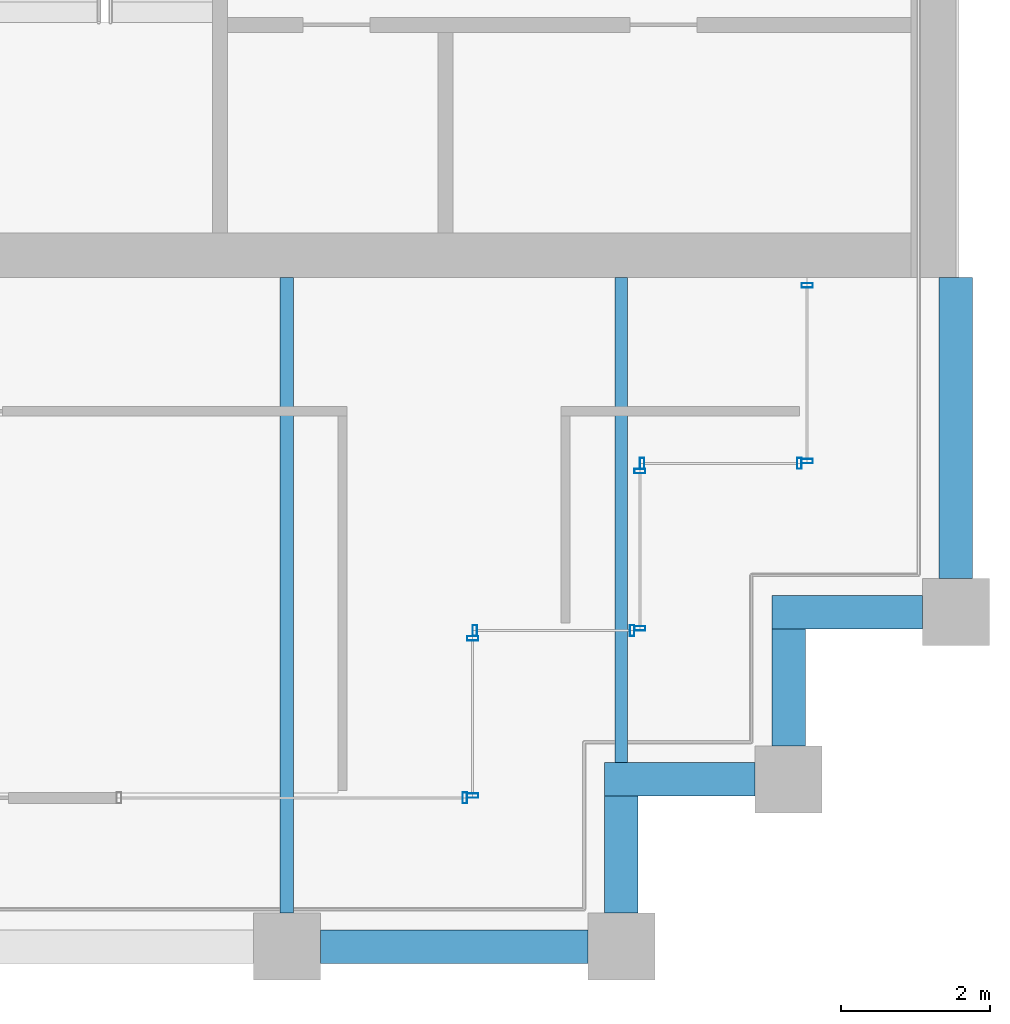
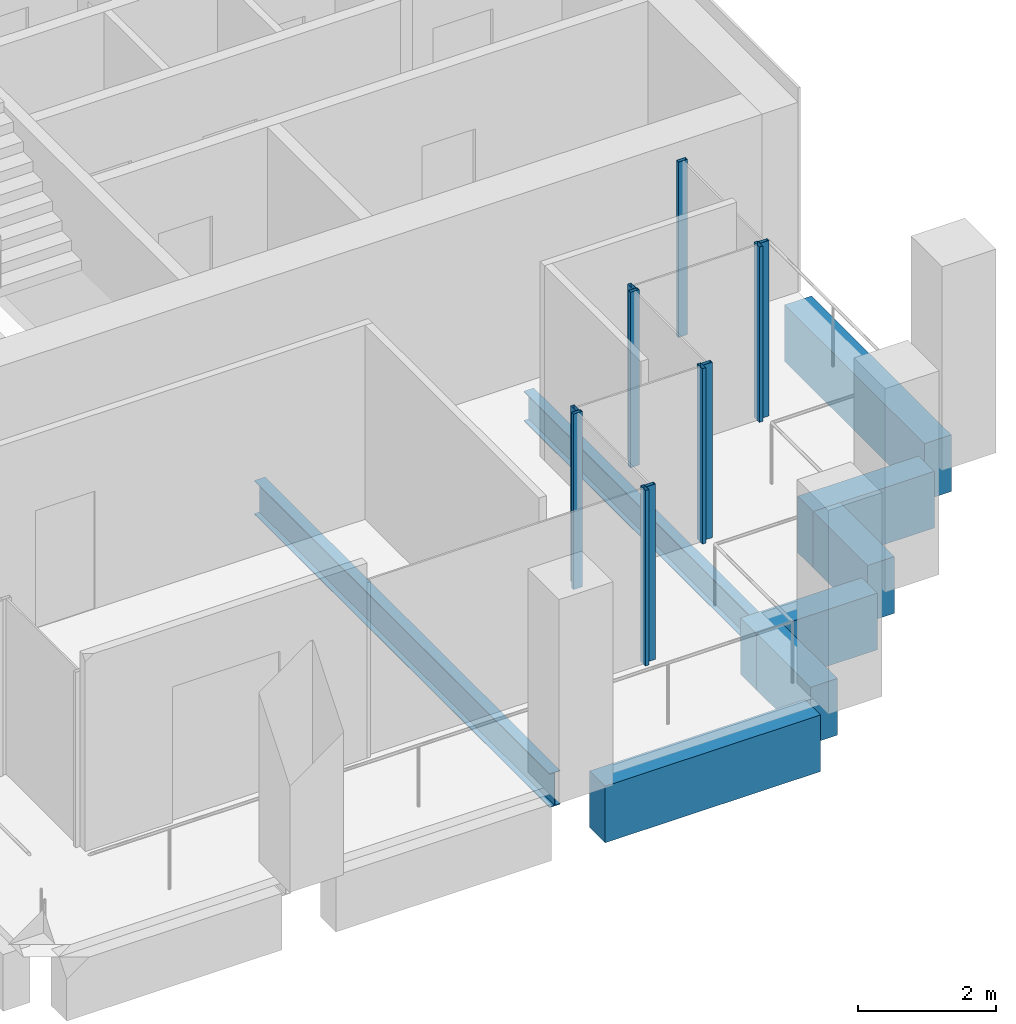
# One storey, part 31 of 40: 11 members, 8 beams, 6 elements without a shape of their own.
"""IFC4 building model written with IfcOpenShell, lengths in metres."""

from ifc_helpers import new_model, si_unit, direction, frame, origin, origin_2d, place, context, subcontext, project, spatial, rectangle, hollow_rectangle, i_section, extrude, material, material_profile, profile_set, type_object, element, aggregate, save


model = new_model("IFC4")

# Units and contexts
model_context = context("Model", 3, precision=1e-05, world=origin(), true_north=direction((0.0, 1.0)))
body_context = subcontext(model_context, "Body", "Model", "MODEL_VIEW")
ifc_project = project(units=[si_unit("LENGTHUNIT", "METRE"), si_unit("AREAUNIT", "SQUARE_METRE"), si_unit("VOLUMEUNIT", "CUBIC_METRE"), si_unit("PLANEANGLEUNIT", "RADIAN"), si_unit("MASSUNIT", "GRAM", prefix="KILO")], contexts=[model_context])

# Site, building, storey
site_placement = place(None, origin())
site = spatial("IfcSite", under=ifc_project, at=site_placement, CompositionType="ELEMENT")
building_placement = place(site_placement, origin())
building = spatial("IfcBuilding", under=site, at=building_placement, Name="Altepetl Exchange Towers", CompositionType="ELEMENT")
storey_placement = place(building_placement, frame((0.0, 0.0, 169.0)))
storey = spatial("IfcBuildingStorey", under=building, at=storey_placement, Name="L42", CompositionType="ELEMENT", Elevation=169.0)

# Beams
ifc_material_1 = material(Name="Steel S355", Category="steel")
ifc_material_profile_1 = material_profile(ifc_material_1, i_section(OverallWidth=0.166015625, OverallDepth=0.529052734375, WebThickness=0.009765625, FlangeThickness=0.013671875, at=origin_2d()), Name="W21X50")
ifc_profile_set_1 = profile_set([ifc_material_profile_1], Name="Steel S355")
beam_type_1 = type_object("IfcBeamType", Name="Floor beam W21X50", PredefinedType="BEAM", material=ifc_profile_set_1)
beam_1_placement = place(storey_placement, frame((112.5, 29.47509765625, -0.41455078125), z_axis=(0.0, 1.0, 0.0), x_axis=(-1.0, 0.0, 0.0)))
element("IfcBeam", 1, at=beam_1_placement, inside=storey, type_object=beam_type_1, Name="bm:B:L42:003", PredefinedType="BEAM", context=body_context, shape_type="SweptSolid", body=[
    extrude(i_section(OverallWidth=0.166015625, OverallDepth=0.529052734375, WebThickness=0.009765625, FlangeThickness=0.013671875, at=origin_2d()), origin(), (0.0, 0.0, 1.0), 6.52490234375),
])
ifc_material_profile_2 = material_profile(ifc_material_1, i_section(OverallWidth=0.177978515625, OverallDepth=0.59912109375, WebThickness=0.010009765625, FlangeThickness=0.0126953125, at=origin_2d()), Name="W24X55")
ifc_profile_set_2 = profile_set([ifc_material_profile_2], Name="Steel S355")
beam_type_2 = type_object("IfcBeamType", Name="Floor beam W24X55", PredefinedType="BEAM", material=ifc_profile_set_2)
beam_2_placement = place(storey_placement, frame((108.0, 27.449951171875, -0.449462890625), z_axis=(0.0, 1.0, 0.0), x_axis=(-1.0, 0.0, 0.0)))
element("IfcBeam", 2, at=beam_2_placement, inside=storey, type_object=beam_type_2, Name="bm:B:L42:002", PredefinedType="BEAM", context=body_context, shape_type="SweptSolid", body=[
    extrude(i_section(OverallWidth=0.177978515625, OverallDepth=0.59912109375, WebThickness=0.010009765625, FlangeThickness=0.0126953125, at=origin_2d()), origin(), (0.0, 0.0, 1.0), 8.550048828125),
])

# Curtain wall, member
ifc_material_2 = material(Name="Aluminium 6063-T6 glazing", Category="aluminium")
curtain_wall_type = type_object("IfcCurtainWallType", Name="Loggia glazing system", PredefinedType="NOTDEFINED", material=ifc_material_2)
curtain_wall_1_placement = place(storey_placement, origin())
curtain_wall_1 = element("IfcCurtainWall", 3, at=curtain_wall_1_placement, inside=storey, type_object=curtain_wall_type, Name="CW1 run", PredefinedType="NOTDEFINED")
ifc_material_3 = material(Name="Aluminium 6063-T6", Category="aluminium")
ifc_material_profile_3 = material_profile(ifc_material_3, hollow_rectangle(XDim=0.06005859375, YDim=0.14990234375, WallThickness=0.0029296875, at=origin_2d()), Name="Mullion 60x150 aluminium")
ifc_profile_set_3 = profile_set([ifc_material_profile_3], Name="Aluminium 6063-T6")
member_type = type_object("IfcMemberType", Name="Mullion 60x150 aluminium", PredefinedType="MULLION", material=ifc_profile_set_3)
member_1_placement = place(storey_placement, frame((110.39501953125, 29.0, 0.0)))
member_1 = element("IfcMember", 4, at=member_1_placement, type_object=member_type, Name="MU1 mullion", PredefinedType="MULLION", context=body_context, shape_type="SweptSolid", body=[
    extrude(hollow_rectangle(XDim=0.06005859375, YDim=0.14990234375, WallThickness=0.0029296875, at=origin_2d()), origin(), (0.0, 0.0, 1.0), 3.10009765625),
])
aggregate(curtain_wall_1, [member_1])

# Curtain wall, members
curtain_wall_2_placement = place(storey_placement, origin())
curtain_wall_2 = element("IfcCurtainWall", 5, at=curtain_wall_2_placement, inside=storey, type_object=curtain_wall_type, Name="CW1 run", PredefinedType="NOTDEFINED")
member_2_placement = place(storey_placement, frame((110.5, 29.030029296875, 0.0), z_axis=(0.0, 0.0, 1.0), x_axis=(0.0, 1.0, 0.0)))
member_2 = element("IfcMember", 6, at=member_2_placement, type_object=member_type, Name="MU1 mullion", PredefinedType="MULLION", context=body_context, shape_type="SweptSolid", body=[
    extrude(hollow_rectangle(XDim=0.06005859375, YDim=0.14990234375, WallThickness=0.0029296875, at=origin_2d()), origin(), (0.0, 0.0, 1.0), 3.10009765625),
])
member_3_placement = place(storey_placement, frame((110.5, 31.14501953125, 0.0), z_axis=(0.0, 0.0, 1.0), x_axis=(0.0, 1.0, 0.0)))
member_3 = element("IfcMember", 7, at=member_3_placement, type_object=member_type, Name="MU1 mullion", PredefinedType="MULLION", context=body_context, shape_type="SweptSolid", body=[
    extrude(hollow_rectangle(XDim=0.06005859375, YDim=0.14990234375, WallThickness=0.0029296875, at=origin_2d()), origin(), (0.0, 0.0, 1.0), 3.10009765625),
])
aggregate(curtain_wall_2, [member_2, member_3])

curtain_wall_3_placement = place(storey_placement, origin())
curtain_wall_3 = element("IfcCurtainWall", 8, at=curtain_wall_3_placement, inside=storey, type_object=curtain_wall_type, Name="CW1 run", PredefinedType="NOTDEFINED")
member_4_placement = place(storey_placement, frame((110.530029296875, 31.25, 0.0)))
member_4 = element("IfcMember", 9, at=member_4_placement, type_object=member_type, Name="MU1 mullion", PredefinedType="MULLION", context=body_context, shape_type="SweptSolid", body=[
    extrude(hollow_rectangle(XDim=0.06005859375, YDim=0.14990234375, WallThickness=0.0029296875, at=origin_2d()), origin(), (0.0, 0.0, 1.0), 3.10009765625),
])
member_5_placement = place(storey_placement, frame((112.64501953125, 31.25, 0.0)))
member_5 = element("IfcMember", 10, at=member_5_placement, type_object=member_type, Name="MU1 mullion", PredefinedType="MULLION", context=body_context, shape_type="SweptSolid", body=[
    extrude(hollow_rectangle(XDim=0.06005859375, YDim=0.14990234375, WallThickness=0.0029296875, at=origin_2d()), origin(), (0.0, 0.0, 1.0), 3.10009765625),
])
aggregate(curtain_wall_3, [member_4, member_5])

curtain_wall_4_placement = place(storey_placement, origin())
curtain_wall_4 = element("IfcCurtainWall", 11, at=curtain_wall_4_placement, inside=storey, type_object=curtain_wall_type, Name="CW1 run", PredefinedType="NOTDEFINED")
member_6_placement = place(storey_placement, frame((112.75, 31.280029296875, 0.0), z_axis=(0.0, 0.0, 1.0), x_axis=(0.0, 1.0, 0.0)))
member_6 = element("IfcMember", 12, at=member_6_placement, type_object=member_type, Name="MU1 mullion", PredefinedType="MULLION", context=body_context, shape_type="SweptSolid", body=[
    extrude(hollow_rectangle(XDim=0.06005859375, YDim=0.14990234375, WallThickness=0.0029296875, at=origin_2d()), origin(), (0.0, 0.0, 1.0), 3.10009765625),
])
member_7_placement = place(storey_placement, frame((112.75, 33.39501953125, 0.0), z_axis=(0.0, 0.0, 1.0), x_axis=(0.0, 1.0, 0.0)))
member_7 = element("IfcMember", 13, at=member_7_placement, type_object=member_type, Name="MU1 mullion", PredefinedType="MULLION", context=body_context, shape_type="SweptSolid", body=[
    extrude(hollow_rectangle(XDim=0.06005859375, YDim=0.14990234375, WallThickness=0.0029296875, at=origin_2d()), origin(), (0.0, 0.0, 1.0), 3.10009765625),
])
aggregate(curtain_wall_4, [member_6, member_7])

curtain_wall_5_placement = place(storey_placement, origin())
curtain_wall_5 = element("IfcCurtainWall", 14, at=curtain_wall_5_placement, inside=storey, type_object=curtain_wall_type, Name="CW1 run", PredefinedType="NOTDEFINED")
member_8_placement = place(storey_placement, frame((112.780029296875, 33.5, 0.0)))
member_8 = element("IfcMember", 15, at=member_8_placement, type_object=member_type, Name="MU1 mullion", PredefinedType="MULLION", context=body_context, shape_type="SweptSolid", body=[
    extrude(hollow_rectangle(XDim=0.06005859375, YDim=0.14990234375, WallThickness=0.0029296875, at=origin_2d()), origin(), (0.0, 0.0, 1.0), 3.10009765625),
])
member_9_placement = place(storey_placement, frame((114.89501953125, 33.5, 0.0)))
member_9 = element("IfcMember", 16, at=member_9_placement, type_object=member_type, Name="MU1 mullion", PredefinedType="MULLION", context=body_context, shape_type="SweptSolid", body=[
    extrude(hollow_rectangle(XDim=0.06005859375, YDim=0.14990234375, WallThickness=0.0029296875, at=origin_2d()), origin(), (0.0, 0.0, 1.0), 3.10009765625),
])
aggregate(curtain_wall_5, [member_8, member_9])

curtain_wall_6_placement = place(storey_placement, origin())
curtain_wall_6 = element("IfcCurtainWall", 17, at=curtain_wall_6_placement, inside=storey, type_object=curtain_wall_type, Name="CW1 run", PredefinedType="NOTDEFINED")
member_10_placement = place(storey_placement, frame((115.0, 33.530029296875, 0.0), z_axis=(0.0, 0.0, 1.0), x_axis=(0.0, 1.0, 0.0)))
member_10 = element("IfcMember", 18, at=member_10_placement, type_object=member_type, Name="MU1 mullion", PredefinedType="MULLION", context=body_context, shape_type="SweptSolid", body=[
    extrude(hollow_rectangle(XDim=0.06005859375, YDim=0.14990234375, WallThickness=0.0029296875, at=origin_2d()), origin(), (0.0, 0.0, 1.0), 3.10009765625),
])
member_11_placement = place(storey_placement, frame((115.0, 35.89501953125, 0.0), z_axis=(0.0, 0.0, 1.0), x_axis=(0.0, 1.0, 0.0)))
member_11 = element("IfcMember", 19, at=member_11_placement, type_object=member_type, Name="MU1 mullion", PredefinedType="MULLION", context=body_context, shape_type="SweptSolid", body=[
    extrude(hollow_rectangle(XDim=0.06005859375, YDim=0.14990234375, WallThickness=0.0029296875, at=origin_2d()), origin(), (0.0, 0.0, 1.0), 3.10009765625),
])
aggregate(curtain_wall_6, [member_10, member_11])

# Beams
ifc_material_4 = material(Name="Concrete C50/60 precast with cantera blanca facing", Category="concrete")
ifc_material_profile_4 = material_profile(ifc_material_4, rectangle(XDim=0.449951171875, YDim=1.0, at=origin_2d()), Name="450 x 1000")
ifc_profile_set_4 = profile_set([ifc_material_profile_4], Name="Concrete C50/60 precast with cantera blanca facing")
beam_type_3 = type_object("IfcBeamType", Name="Spandrel beam 450x1000 cantera blanca", PredefinedType="SPANDREL", material=ifc_profile_set_4)
beam_3_placement = place(storey_placement, frame((117.0, 31.949951171875, -0.64990234375), z_axis=(0.0, 1.0, 0.0), x_axis=(-1.0, 0.0, 0.0)))
element("IfcBeam", 20, at=beam_3_placement, inside=storey, type_object=beam_type_3, Name="sp:B:L42:007", PredefinedType="SPANDREL", context=body_context, shape_type="SweptSolid", body=[
    extrude(rectangle(XDim=0.449951171875, YDim=1.0, at=origin_2d()), origin(), (0.0, 0.0, 1.0), 4.050048828125),
])
ifc_material_5 = material(Name="Concrete C50/60 precast with tezontle facing", Category="concrete")
ifc_material_profile_5 = material_profile(ifc_material_5, rectangle(XDim=0.449951171875, YDim=1.0, at=origin_2d()), Name="450 x 1000")
ifc_profile_set_5 = profile_set([ifc_material_profile_5], Name="Concrete C50/60 precast with tezontle facing")
beam_type_4 = type_object("IfcBeamType", Name="Spandrel beam 450x1000 tezontle", PredefinedType="SPANDREL", material=ifc_profile_set_5)
beam_4_placement = place(storey_placement, frame((108.449951171875, 27.0, -0.64990234375), z_axis=(1.0, 0.0, 0.0), x_axis=(0.0, 1.0, 0.0)))
element("IfcBeam", 21, at=beam_4_placement, inside=storey, type_object=beam_type_4, Name="sp:B:L42:002", PredefinedType="SPANDREL", context=body_context, shape_type="SweptSolid", body=[
    extrude(rectangle(XDim=0.449951171875, YDim=1.0, at=origin_2d()), origin(), (0.0, 0.0, 1.0), 3.60009765625),
])
beam_5_placement = place(storey_placement, frame((112.5, 27.449951171875, -0.64990234375), z_axis=(0.0, 1.0, 0.0), x_axis=(-1.0, 0.0, 0.0)))
element("IfcBeam", 22, at=beam_5_placement, inside=storey, type_object=beam_type_4, Name="sp:B:L42:003", PredefinedType="SPANDREL", context=body_context, shape_type="SweptSolid", body=[
    extrude(rectangle(XDim=0.449951171875, YDim=1.0, at=origin_2d()), origin(), (0.0, 0.0, 1.0), 1.574951171875),
])
beam_6_placement = place(storey_placement, frame((112.27490234375, 29.25, -0.64990234375), z_axis=(1.0, 0.0, 0.0), x_axis=(0.0, 1.0, 0.0)))
element("IfcBeam", 23, at=beam_6_placement, inside=storey, type_object=beam_type_4, Name="sp:B:L42:004", PredefinedType="SPANDREL", context=body_context, shape_type="SweptSolid", body=[
    extrude(rectangle(XDim=0.449951171875, YDim=1.0, at=origin_2d()), origin(), (0.0, 0.0, 1.0), 2.025146484375),
])
beam_7_placement = place(storey_placement, frame((114.75, 29.699951171875, -0.64990234375), z_axis=(0.0, 1.0, 0.0), x_axis=(-1.0, 0.0, 0.0)))
element("IfcBeam", 24, at=beam_7_placement, inside=storey, type_object=beam_type_4, Name="sp:B:L42:005", PredefinedType="SPANDREL", context=body_context, shape_type="SweptSolid", body=[
    extrude(rectangle(XDim=0.449951171875, YDim=1.0, at=origin_2d()), origin(), (0.0, 0.0, 1.0), 1.574951171875),
])
beam_8_placement = place(storey_placement, frame((114.52490234375, 31.5, -0.64990234375), z_axis=(1.0, 0.0, 0.0), x_axis=(0.0, 1.0, 0.0)))
element("IfcBeam", 25, at=beam_8_placement, inside=storey, type_object=beam_type_4, Name="sp:B:L42:006", PredefinedType="SPANDREL", context=body_context, shape_type="SweptSolid", body=[
    extrude(rectangle(XDim=0.449951171875, YDim=1.0, at=origin_2d()), origin(), (0.0, 0.0, 1.0), 2.025146484375),
])

save(model, "model.ifc")
